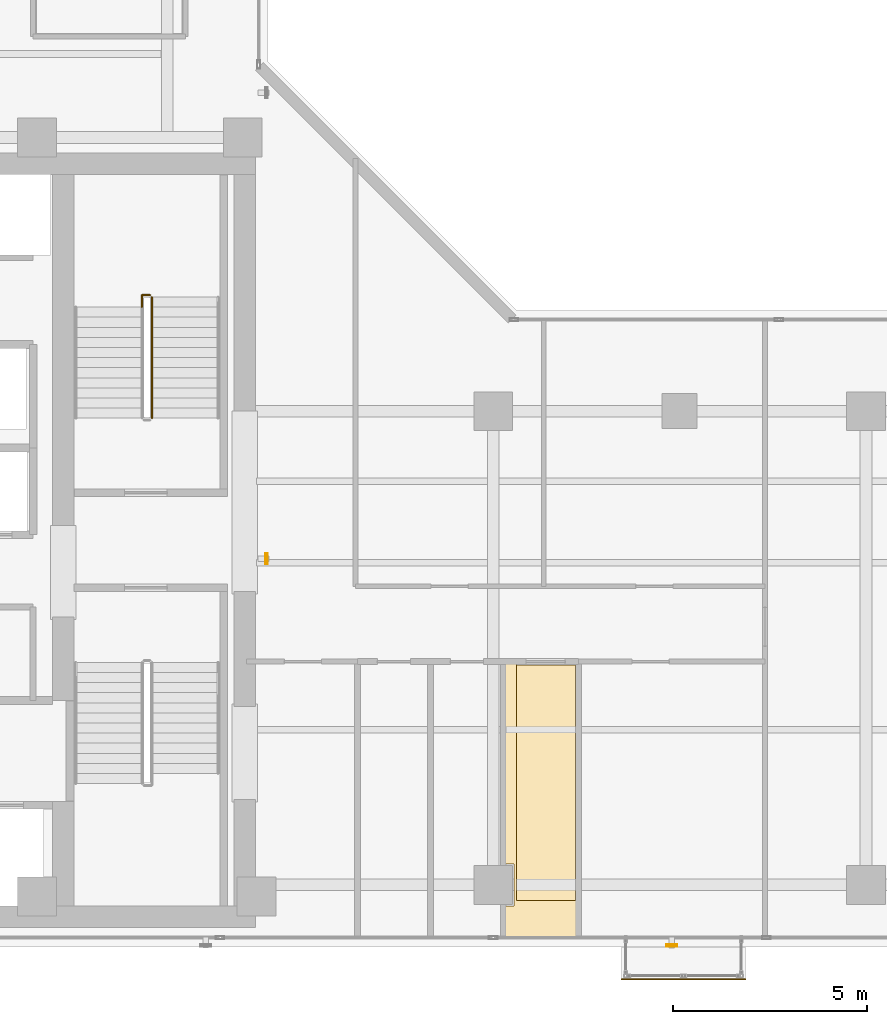
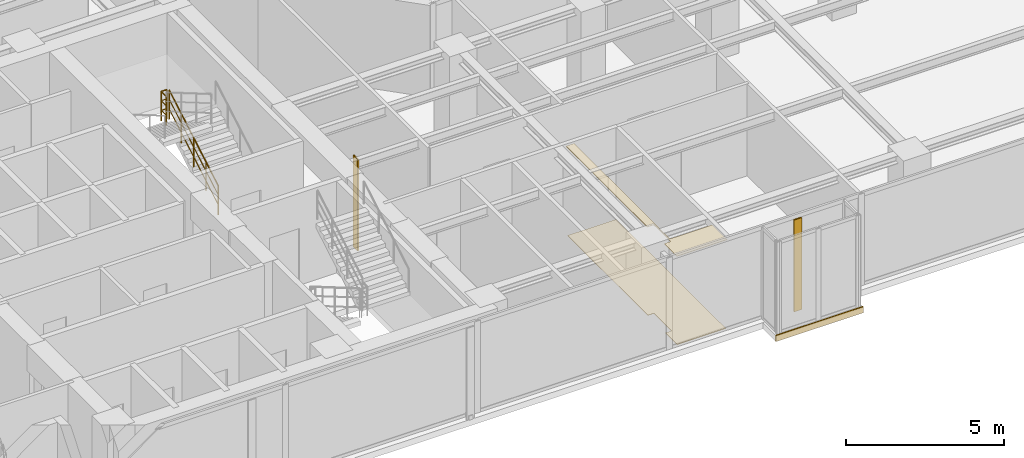
# One storey, part 22 of 25: 3 coverings, 2 railings, 2 shading devices.
"""IFC4 building model written with IfcOpenShell, lengths in metres."""

from ifc_helpers import new_model, si_unit, direction, frame, origin, origin_2d, place, context, subcontext, project, spatial, polyline, rectangle, hollow_rectangle, circle, outline, extrude, material, layer, layer_set, material_profile, profile_set, type_object, element, save


model = new_model("IFC4")

# Units and contexts
model_context = context("Model", 3, precision=1e-05, world=origin(), true_north=direction((0.0, 1.0)))
body_context = subcontext(model_context, "Body", "Model", "MODEL_VIEW")
ifc_project = project(units=[si_unit("LENGTHUNIT", "METRE"), si_unit("AREAUNIT", "SQUARE_METRE"), si_unit("VOLUMEUNIT", "CUBIC_METRE"), si_unit("PLANEANGLEUNIT", "RADIAN"), si_unit("MASSUNIT", "GRAM", prefix="KILO")], contexts=[model_context])

# Site, building, storey
site_placement = place(None, origin())
site = spatial("IfcSite", under=ifc_project, at=site_placement, CompositionType="ELEMENT")
building_placement = place(site_placement, origin())
building = spatial("IfcBuilding", under=site, at=building_placement, Name="Kolvaren Waterfront Exchange", CompositionType="ELEMENT")
storey_placement = place(building_placement, frame((0.0, 0.0, 204.5)))
storey = spatial("IfcBuildingStorey", under=building, at=storey_placement, Name="L52", CompositionType="ELEMENT", Elevation=204.5)

# Coverings
ifc_material_1 = material(Name="Mineral fibre acoustic ceiling tile")
ifc_layer_1 = layer(ifc_material_1, 0.02490234375, Name="Mineral fibre acoustic ceiling tile")
ifc_layer_set_1 = layer_set([ifc_layer_1], Name="Mineral fibre acoustic ceiling tile")
covering_type_1 = type_object("IfcCoveringType", Name="ARC-CEIL-ACOUSTIC-25", PredefinedType="CEILING", material=ifc_layer_set_1)
covering_1_placement = place(storey_placement, frame((0.0, 0.0, 3.445068359375)))
element("IfcCovering", 1, at=covering_1_placement, inside=storey, type_object=covering_type_1, Name="L52 acoustic suspended ceiling 2", PredefinedType="CEILING", context=body_context, shape_type="SweptSolid", body=[
    extrude(outline(polyline([(27.5048828125, 5.739990234375), (27.739990234375, 5.739990234375), (27.739990234375, 4.659912109375), (27.5048828125, 4.659912109375), (27.5048828125, 3.864990234375), (29.35498046875, 3.864990234375), (29.35498046875, 4.800048828125), (27.800048828125, 4.800048828125), (27.800048828125, 10.89501953125), (27.5048828125, 10.89501953125), (27.5048828125, 5.739990234375)])), origin(), (0.0, 0.0, 1.0), 0.02490234375),
])
ifc_material_2 = material(Name="Anodised bronze fascia aluminium", Category="aluminium")
ifc_layer_2 = layer(ifc_material_2, 0.034912109375, Name="Anodised bronze fascia aluminium")
ifc_layer_set_2 = layer_set([ifc_layer_2], Name="Anodised bronze fascia aluminium")
covering_type_2 = type_object("IfcCoveringType", Name="ARC-CLAD-BRONZE-35", PredefinedType="CLADDING", material=ifc_layer_set_2)
covering_2_placement = place(storey_placement, frame((32.10009765625, 2.77001953125, -0.22021484375), z_axis=(0.0, 0.0, 1.0), x_axis=(1.0, 0.0, 0.0)))
element("IfcCovering", 2, at=covering_2_placement, inside=storey, type_object=covering_type_2, Name="L52 ribbed anodised bronze bay-box fascia", PredefinedType="CLADDING", context=body_context, shape_type="SweptSolid", body=[
    extrude(rectangle(XDim=3.199951171875, YDim=0.034912109375, at=origin_2d()), origin(), (0.0, 0.0, 1.0), 0.239990234375),
])

# Shading devices
ifc_material_3 = material(Name="Anodised bronze aluminium 6063-T6", Category="aluminium")
ifc_material_profile = material_profile(ifc_material_3, hollow_rectangle(XDim=0.054931640625, YDim=0.280029296875, WallThickness=0.00439453125, at=origin_2d()), Name="BRZ-FIN-280x55x4.5")
ifc_profile_set = profile_set([ifc_material_profile], Name="Anodised bronze aluminium 6063-T6")
shading_device_type = type_object("IfcShadingDeviceType", Name="ARC-FIN-280", PredefinedType="USERDEFINED", material=ifc_profile_set)
for number, where, z_axis, x_axis, name in (
    (3, (31.800048828125, 3.639892578125, 0.0), (0.0, 0.0, 1.0), (0.0, -1.0, 0.0), "L52 anodised bronze solar shading fin FIN-L52-S3"),
    (4, (21.360107421875, 13.60009765625, 0.0), (0.0, 0.0, 1.0), (1.0, 0.0, 0.0), "L52 anodised bronze solar shading fin FIN-L52-E1"),
):
    element("IfcShadingDevice", number, at=place(storey_placement, frame(where, z_axis=z_axis, x_axis=x_axis)), inside=storey, type_object=shading_device_type, Name=name, ObjectType="SOLAR FIN", PredefinedType="USERDEFINED", context=body_context, shape_type="SweptSolid", body=[
        extrude(hollow_rectangle(XDim=0.054931640625, YDim=0.280029296875, WallThickness=0.00439453125, at=origin_2d()), origin(), (0.0, 0.0, 1.0), 3.56005859375),
    ])

# Covering
ifc_material_4 = material(Name="Slip-resistant porcelain tile")
ifc_layer_3 = layer(ifc_material_4, 0.014892578125, Name="Slip-resistant porcelain tile")
ifc_layer_set_3 = layer_set([ifc_layer_3], Name="Slip-resistant porcelain tile")
covering_type_3 = type_object("IfcCoveringType", Name="ARC-FLR-PORC-15", PredefinedType="FLOORING", material=ifc_layer_set_3)
covering_3_placement = place(storey_placement, origin())
element("IfcCovering", 5, at=covering_3_placement, inside=storey, type_object=covering_type_3, Name="L52 floor finish 2", PredefinedType="FLOORING", context=body_context, shape_type="SweptSolid", body=[
    extrude(outline(polyline([(27.5400390625, 4.639892578125), (27.5400390625, 3.89990234375), (29.320068359375, 3.89990234375), (29.320068359375, 10.860107421875), (27.5400390625, 10.860107421875), (27.5400390625, 5.760009765625), (27.760009765625, 5.760009765625), (27.760009765625, 4.639892578125), (27.5400390625, 4.639892578125)])), origin(), (0.0, 0.0, 1.0), 0.014892578125),
])

# Railings
ifc_material_5 = material(Name="Stainless steel 316", Category="steel")
railing_type = type_object("IfcRailingType", Name="ARC-GUARD-STAIR", PredefinedType="GUARDRAIL", material=ifc_material_5)
railing_1_placement = place(storey_placement, frame((18.409912109375, 17.219970703125, 0.152099609375)))
element("IfcRailing", 6, at=railing_1_placement, inside=storey, type_object=railing_type, Name="L52 ST2 stair guard 1", PredefinedType="GUARDRAIL", context=body_context, shape_type="SweptSolid", body=[
    extrude(circle(Radius=0.02392578125, at=origin_2d()), frame((0.0, 0.0, 1.1259765625), z_axis=(0.0, 0.86330811405, 0.504677223793), x_axis=(-1.0, 0.0, 0.0)), (0.0, 0.0, 1.0), 3.6142578125),
    extrude(circle(Radius=0.01611328125, at=origin_2d()), frame((0.0, 0.0, 0.390869140625), z_axis=(0.0, 0.86330811405, 0.504677223793), x_axis=(-1.0, 0.0, 0.0)), (0.0, 0.0, 1.0), 3.6142578125),
    extrude(circle(Radius=0.01611328125, at=origin_2d()), frame((0.0, 0.0, 0.7705078125), z_axis=(0.0, 0.86330811405, 0.504677223793), x_axis=(-1.0, 0.0, 0.0)), (0.0, 0.0, 1.0), 3.6142578125),
    extrude(circle(Radius=0.02099609375, at=origin_2d()), origin(), (0.0, 0.0, 1.0), 1.101806640625),
    extrude(circle(Radius=0.02099609375, at=origin_2d()), frame((0.0, 0.780029296875, 0.4560546875)), (0.0, 0.0, 1.0), 1.101806640625),
    extrude(circle(Radius=0.02099609375, at=origin_2d()), frame((0.0, 1.56005859375, 0.912109375)), (0.0, 0.0, 1.0), 1.101806640625),
    extrude(circle(Radius=0.02099609375, at=origin_2d()), frame((0.0, 2.340087890625, 1.367919921875)), (0.0, 0.0, 1.0), 1.101806640625),
    extrude(circle(Radius=0.02099609375, at=origin_2d()), frame((0.0, 3.1201171875, 1.823974609375)), (0.0, 0.0, 1.0), 1.101806640625),
])
railing_2_placement = place(storey_placement, frame((18.360107421875, 20.389892578125, 1.97607421875)))
element("IfcRailing", 7, at=railing_2_placement, inside=storey, type_object=railing_type, Name="L52 ST2 stair guard 2", PredefinedType="GUARDRAIL", context=body_context, shape_type="SweptSolid", body=[
    extrude(circle(Radius=0.02392578125, at=origin_2d()), frame((0.0, 0.0, 1.1259765625), z_axis=(-1.0, 0.0, 0.0), x_axis=(0.0, -1.0, 0.0)), (0.0, 0.0, 1.0), 0.210205078125),
    extrude(circle(Radius=0.01611328125, at=origin_2d()), frame((0.0, 0.0, 0.390869140625), z_axis=(-1.0, 0.0, 0.0), x_axis=(0.0, -1.0, 0.0)), (0.0, 0.0, 1.0), 0.210205078125),
    extrude(circle(Radius=0.01611328125, at=origin_2d()), frame((0.0, 0.0, 0.7705078125), z_axis=(-1.0, 0.0, 0.0), x_axis=(0.0, -1.0, 0.0)), (0.0, 0.0, 1.0), 0.210205078125),
    extrude(circle(Radius=0.02392578125, at=origin_2d()), frame((-0.210205078125, 0.0, 1.1259765625), z_axis=(0.0, -1.0, 0.0), x_axis=(1.0, 0.0, 0.0)), (0.0, 0.0, 1.0), 0.309814453125),
    extrude(circle(Radius=0.01611328125, at=origin_2d()), frame((-0.210205078125, 0.0, 0.390869140625), z_axis=(0.0, -1.0, 0.0), x_axis=(1.0, 0.0, 0.0)), (0.0, 0.0, 1.0), 0.309814453125),
    extrude(circle(Radius=0.01611328125, at=origin_2d()), frame((-0.210205078125, 0.0, 0.7705078125), z_axis=(0.0, -1.0, 0.0), x_axis=(1.0, 0.0, 0.0)), (0.0, 0.0, 1.0), 0.309814453125),
    extrude(circle(Radius=0.02099609375, at=origin_2d()), origin(), (0.0, 0.0, 1.0), 1.101806640625),
    extrude(circle(Radius=0.02099609375, at=origin_2d()), frame((-0.210205078125, 0.0, 0.0)), (0.0, 0.0, 1.0), 1.101806640625),
    extrude(circle(Radius=0.02099609375, at=origin_2d()), frame((-0.210205078125, -0.309814453125, 0.0)), (0.0, 0.0, 1.0), 1.101806640625),
])

save(model, "model.ifc")
